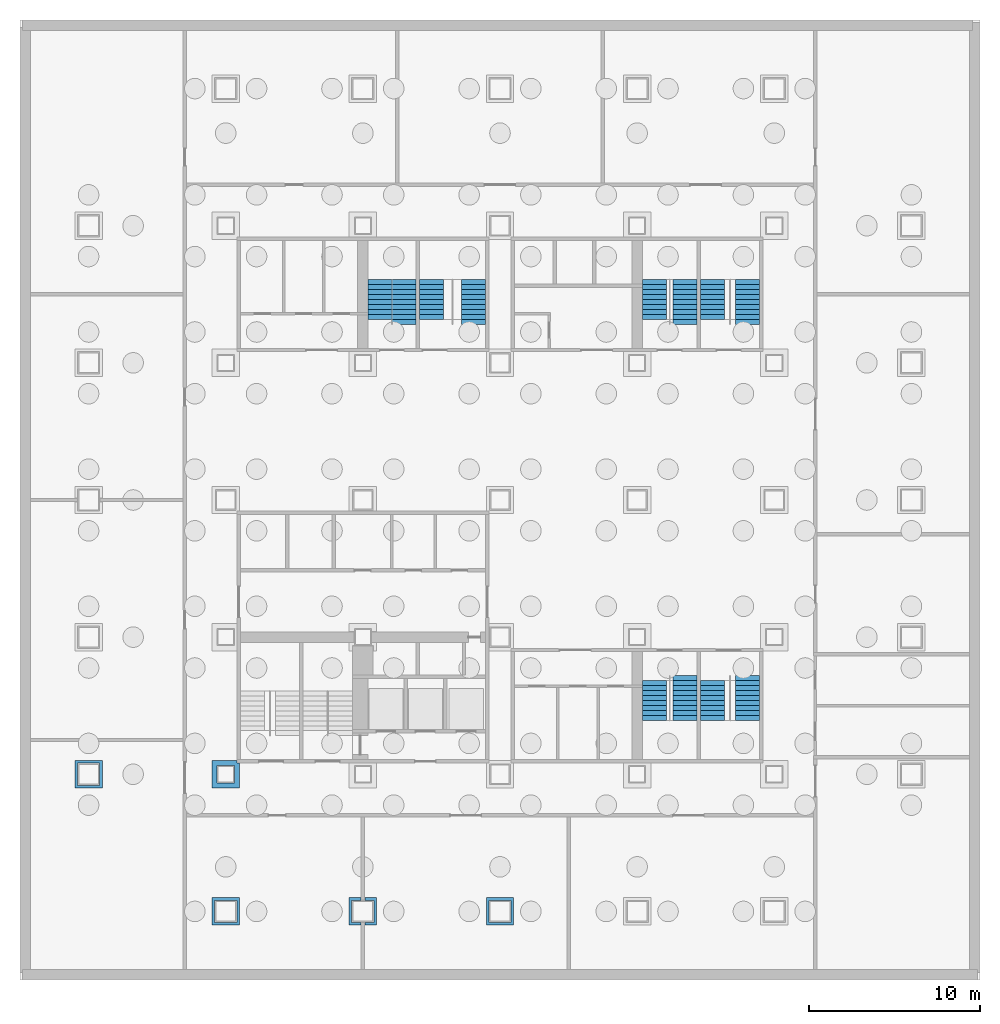
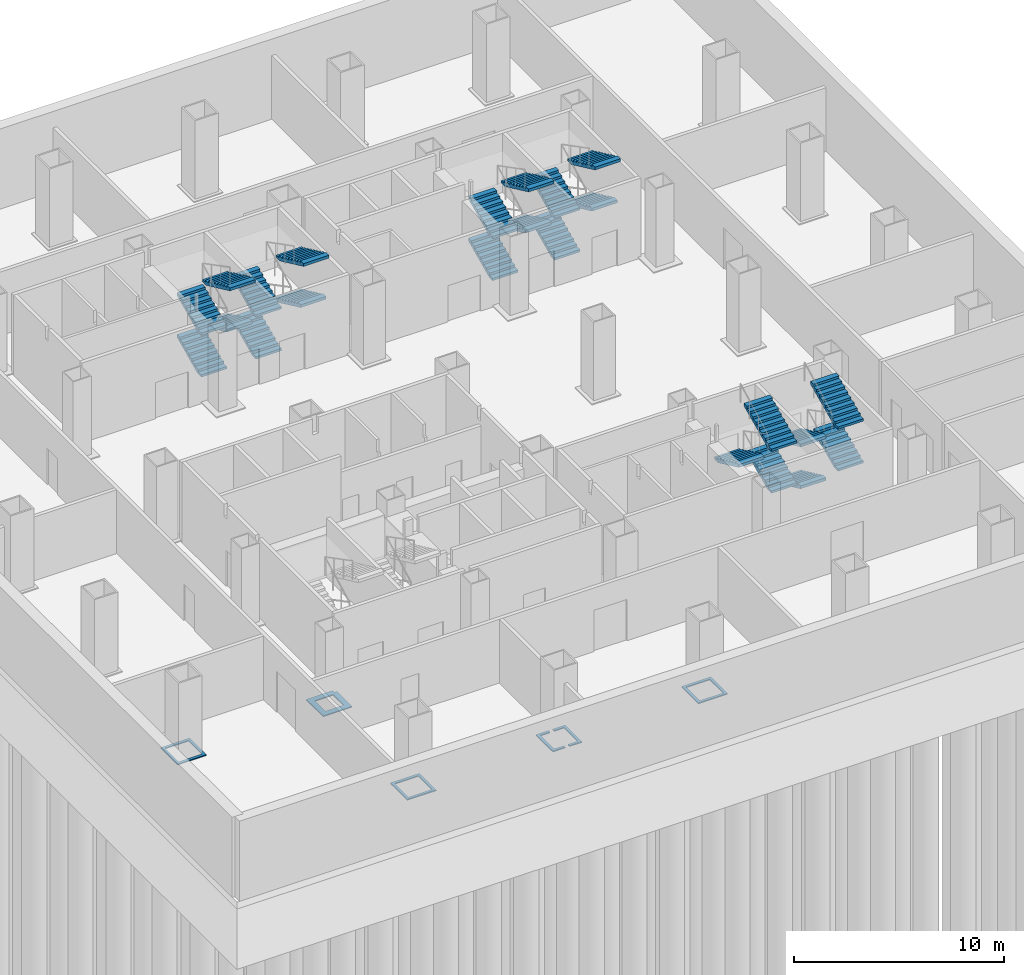
# One storey, part 6 of 9: 23 stair flights, 6 discrete accessories, 6 elements without a shape of their own.
"""IFC4 building model written with IfcOpenShell, lengths in metres."""

from ifc_helpers import new_model, si_unit, direction, frame, origin, place, context, subcontext, project, spatial, polyline, outline, extrude, material, layer, layer_set, type_object, element, aggregate, save


model = new_model("IFC4")

# Units and contexts
model_context = context("Model", 3, precision=1e-05, world=origin(), true_north=direction((0.0, 1.0)))
body_context = subcontext(model_context, "Body", "Model", "MODEL_VIEW")
ifc_project = project(units=[si_unit("LENGTHUNIT", "METRE"), si_unit("AREAUNIT", "SQUARE_METRE"), si_unit("VOLUMEUNIT", "CUBIC_METRE"), si_unit("PLANEANGLEUNIT", "RADIAN"), si_unit("MASSUNIT", "GRAM", prefix="KILO")], contexts=[model_context])

# Site, building, storey
site_placement = place(None, origin())
site = spatial("IfcSite", under=ifc_project, at=site_placement, CompositionType="ELEMENT")
building_placement = place(site_placement, origin())
building = spatial("IfcBuilding", under=site, at=building_placement, Name="Immortelle Media Tower", CompositionType="ELEMENT")
storey_placement = place(building_placement, frame((0.0, 0.0, -5.0)))
storey = spatial("IfcBuildingStorey", under=building, at=storey_placement, Name="B1", CompositionType="ELEMENT", Elevation=-5.0)

# Stair, stair flights
ifc_material_1 = material(Name="Steel ASTM A992 Gr 50", Category="steel")
stair_type = type_object("IfcStairType", Name="Stair with flights", PredefinedType="DOUBLE_RETURN_STAIR", material=ifc_material_1)
stair_1_placement = place(storey_placement, origin())
stair_1 = element("IfcStair", 1, at=stair_1_placement, inside=storey, type_object=stair_type, Name="Exit stair SE1", PredefinedType="DOUBLE_RETURN_STAIR")
stair_flight_type = type_object("IfcStairFlightType", Name="Stair flight 1400", PredefinedType="STRAIGHT", material=ifc_material_1)
stair_flight_1_placement = place(storey_placement, frame((34.800048828125, 11.139892578125, 1.21630859375), z_axis=(0.0, 0.0, 1.0), x_axis=(0.0, 1.0, 0.0)))
stair_flight_1 = element("IfcStairFlight", 2, at=stair_flight_1_placement, type_object=stair_flight_type, Name="ST SE1 flight 2", NumberOfRisers=9, NumberOfTreads=8, PredefinedType="STRAIGHT", RiserHeight=0.135135135, TreadLength=0.29, context=body_context, shape_type="SweptSolid", body=[
    extrude(outline(polyline([(0.0, 0.0), (0.0, 0.13525390625), (0.2900390625, 0.13525390625), (0.2900390625, 0.270263671875), (0.580078125, 0.270263671875), (0.580078125, 0.405517578125), (0.8701171875, 0.405517578125), (0.8701171875, 0.54052734375), (1.159912109375, 0.54052734375), (1.159912109375, 0.67578125), (1.449951171875, 0.67578125), (1.449951171875, 0.810791015625), (1.739990234375, 0.810791015625), (1.739990234375, 0.946044921875), (2.030029296875, 0.946044921875), (2.030029296875, 1.0810546875), (2.320068359375, 1.0810546875), (2.320068359375, 1.21630859375), (2.320068359375, 0.915771484375), (0.35498046875, 0.0), (0.0, 0.0)])), frame((0.0, 0.699951171875, 0.0), z_axis=(0.0, -1.0, 0.0), x_axis=(1.0, 0.0, 0.0)), (0.0, 0.0, 1.0), 1.39990234375),
])
stair_flight_2_placement = place(storey_placement, frame((33.0, 13.4599609375, 2.432373046875), z_axis=(0.0, 0.0, 1.0), x_axis=(0.0, -1.0, 0.0)))
stair_flight_2 = element("IfcStairFlight", 3, at=stair_flight_2_placement, type_object=stair_flight_type, Name="ST SE1 flight 3", NumberOfRisers=9, NumberOfTreads=8, PredefinedType="STRAIGHT", RiserHeight=0.135135135, TreadLength=0.29, context=body_context, shape_type="SweptSolid", body=[
    extrude(outline(polyline([(0.0, 0.0), (0.0, 0.13525390625), (0.2900390625, 0.13525390625), (0.2900390625, 0.270263671875), (0.580078125, 0.270263671875), (0.580078125, 0.405517578125), (0.8701171875, 0.405517578125), (0.8701171875, 0.54052734375), (1.159912109375, 0.54052734375), (1.159912109375, 0.67578125), (1.449951171875, 0.67578125), (1.449951171875, 0.810791015625), (1.739990234375, 0.810791015625), (1.739990234375, 0.946044921875), (2.030029296875, 0.946044921875), (2.030029296875, 1.0810546875), (2.320068359375, 1.0810546875), (2.320068359375, 1.21630859375), (2.320068359375, 0.915771484375), (0.35498046875, 0.0), (0.0, 0.0)])), frame((0.0, 0.699951171875, 0.0), z_axis=(0.0, -1.0, 0.0), x_axis=(1.0, 0.0, 0.0)), (0.0, 0.0, 1.0), 1.39990234375),
])
stair_flight_3_placement = place(storey_placement, frame((34.800048828125, 11.139892578125, 3.648681640625), z_axis=(0.0, 0.0, 1.0), x_axis=(0.0, 1.0, 0.0)))
stair_flight_3 = element("IfcStairFlight", 4, at=stair_flight_3_placement, type_object=stair_flight_type, Name="ST SE1 flight 4", NumberOfRisers=10, NumberOfTreads=9, PredefinedType="STRAIGHT", RiserHeight=0.135135135, TreadLength=0.29, context=body_context, shape_type="SweptSolid", body=[
    extrude(outline(polyline([(0.0, 0.0), (0.0, 0.13525390625), (0.2900390625, 0.13525390625), (0.2900390625, 0.270263671875), (0.580078125, 0.270263671875), (0.580078125, 0.405517578125), (0.8701171875, 0.405517578125), (0.8701171875, 0.54052734375), (1.159912109375, 0.54052734375), (1.159912109375, 0.67578125), (1.449951171875, 0.67578125), (1.449951171875, 0.810791015625), (1.739990234375, 0.810791015625), (1.739990234375, 0.946044921875), (2.030029296875, 0.946044921875), (2.030029296875, 1.0810546875), (2.320068359375, 1.0810546875), (2.320068359375, 1.21630859375), (2.610107421875, 1.21630859375), (2.610107421875, 1.351318359375), (2.610107421875, 1.05078125), (0.35498046875, 0.0), (0.0, 0.0)])), frame((0.0, 0.699951171875, 0.0), z_axis=(0.0, -1.0, 0.0), x_axis=(1.0, 0.0, 0.0)), (0.0, 0.0, 1.0), 1.39990234375),
])
aggregate(stair_1, [stair_flight_1, stair_flight_2, stair_flight_3])

stair_2_placement = place(storey_placement, origin())
stair_2 = element("IfcStair", 5, at=stair_2_placement, inside=storey, type_object=stair_type, Name="Exit stair SE2", PredefinedType="DOUBLE_RETURN_STAIR")
stair_flight_4_placement = place(storey_placement, frame((36.39990234375, 13.4599609375, 0.0), z_axis=(0.0, 0.0, 1.0), x_axis=(0.0, -1.0, 0.0)))
stair_flight_4 = element("IfcStairFlight", 6, at=stair_flight_4_placement, type_object=stair_flight_type, Name="ST SE2 flight 1", NumberOfRisers=9, NumberOfTreads=8, PredefinedType="STRAIGHT", RiserHeight=0.135135135, TreadLength=0.29, context=body_context, shape_type="SweptSolid", body=[
    extrude(outline(polyline([(0.0, 0.0), (0.0, 0.13525390625), (0.2900390625, 0.13525390625), (0.2900390625, 0.270263671875), (0.580078125, 0.270263671875), (0.580078125, 0.405517578125), (0.8701171875, 0.405517578125), (0.8701171875, 0.54052734375), (1.159912109375, 0.54052734375), (1.159912109375, 0.67578125), (1.449951171875, 0.67578125), (1.449951171875, 0.810791015625), (1.739990234375, 0.810791015625), (1.739990234375, 0.946044921875), (2.030029296875, 0.946044921875), (2.030029296875, 1.0810546875), (2.320068359375, 1.0810546875), (2.320068359375, 1.21630859375), (2.320068359375, 0.915771484375), (0.35498046875, 0.0), (0.0, 0.0)])), frame((0.0, 0.699951171875, 0.0), z_axis=(0.0, -1.0, 0.0), x_axis=(1.0, 0.0, 0.0)), (0.0, 0.0, 1.0), 1.39990234375),
])
stair_flight_5_placement = place(storey_placement, frame((38.449951171875, 11.139892578125, 1.21630859375), z_axis=(0.0, 0.0, 1.0), x_axis=(0.0, 1.0, 0.0)))
stair_flight_5 = element("IfcStairFlight", 7, at=stair_flight_5_placement, type_object=stair_flight_type, Name="ST SE2 flight 2", NumberOfRisers=9, NumberOfTreads=8, PredefinedType="STRAIGHT", RiserHeight=0.135135135, TreadLength=0.29, context=body_context, shape_type="SweptSolid", body=[
    extrude(outline(polyline([(0.0, 0.0), (0.0, 0.13525390625), (0.2900390625, 0.13525390625), (0.2900390625, 0.270263671875), (0.580078125, 0.270263671875), (0.580078125, 0.405517578125), (0.8701171875, 0.405517578125), (0.8701171875, 0.54052734375), (1.159912109375, 0.54052734375), (1.159912109375, 0.67578125), (1.449951171875, 0.67578125), (1.449951171875, 0.810791015625), (1.739990234375, 0.810791015625), (1.739990234375, 0.946044921875), (2.030029296875, 0.946044921875), (2.030029296875, 1.0810546875), (2.320068359375, 1.0810546875), (2.320068359375, 1.21630859375), (2.320068359375, 0.915771484375), (0.35498046875, 0.0), (0.0, 0.0)])), frame((0.0, 0.699951171875, 0.0), z_axis=(0.0, -1.0, 0.0), x_axis=(1.0, 0.0, 0.0)), (0.0, 0.0, 1.0), 1.39990234375),
])
stair_flight_6_placement = place(storey_placement, frame((36.39990234375, 13.4599609375, 2.432373046875), z_axis=(0.0, 0.0, 1.0), x_axis=(0.0, -1.0, 0.0)))
stair_flight_6 = element("IfcStairFlight", 8, at=stair_flight_6_placement, type_object=stair_flight_type, Name="ST SE2 flight 3", NumberOfRisers=9, NumberOfTreads=8, PredefinedType="STRAIGHT", RiserHeight=0.135135135, TreadLength=0.29, context=body_context, shape_type="SweptSolid", body=[
    extrude(outline(polyline([(0.0, 0.0), (0.0, 0.13525390625), (0.2900390625, 0.13525390625), (0.2900390625, 0.270263671875), (0.580078125, 0.270263671875), (0.580078125, 0.405517578125), (0.8701171875, 0.405517578125), (0.8701171875, 0.54052734375), (1.159912109375, 0.54052734375), (1.159912109375, 0.67578125), (1.449951171875, 0.67578125), (1.449951171875, 0.810791015625), (1.739990234375, 0.810791015625), (1.739990234375, 0.946044921875), (2.030029296875, 0.946044921875), (2.030029296875, 1.0810546875), (2.320068359375, 1.0810546875), (2.320068359375, 1.21630859375), (2.320068359375, 0.915771484375), (0.35498046875, 0.0), (0.0, 0.0)])), frame((0.0, 0.699951171875, 0.0), z_axis=(0.0, -1.0, 0.0), x_axis=(1.0, 0.0, 0.0)), (0.0, 0.0, 1.0), 1.39990234375),
])
stair_flight_7_placement = place(storey_placement, frame((38.449951171875, 11.139892578125, 3.648681640625), z_axis=(0.0, 0.0, 1.0), x_axis=(0.0, 1.0, 0.0)))
stair_flight_7 = element("IfcStairFlight", 9, at=stair_flight_7_placement, type_object=stair_flight_type, Name="ST SE2 flight 4", NumberOfRisers=10, NumberOfTreads=9, PredefinedType="STRAIGHT", RiserHeight=0.135135135, TreadLength=0.29, context=body_context, shape_type="SweptSolid", body=[
    extrude(outline(polyline([(0.0, 0.0), (0.0, 0.13525390625), (0.2900390625, 0.13525390625), (0.2900390625, 0.270263671875), (0.580078125, 0.270263671875), (0.580078125, 0.405517578125), (0.8701171875, 0.405517578125), (0.8701171875, 0.54052734375), (1.159912109375, 0.54052734375), (1.159912109375, 0.67578125), (1.449951171875, 0.67578125), (1.449951171875, 0.810791015625), (1.739990234375, 0.810791015625), (1.739990234375, 0.946044921875), (2.030029296875, 0.946044921875), (2.030029296875, 1.0810546875), (2.320068359375, 1.0810546875), (2.320068359375, 1.21630859375), (2.610107421875, 1.21630859375), (2.610107421875, 1.351318359375), (2.610107421875, 1.05078125), (0.35498046875, 0.0), (0.0, 0.0)])), frame((0.0, 0.699951171875, 0.0), z_axis=(0.0, -1.0, 0.0), x_axis=(1.0, 0.0, 0.0)), (0.0, 0.0, 1.0), 1.39990234375),
])
aggregate(stair_2, [stair_flight_4, stair_flight_5, stair_flight_6, stair_flight_7])

stair_3_placement = place(storey_placement, origin())
stair_3 = element("IfcStair", 10, at=stair_3_placement, inside=storey, type_object=stair_type, Name="Exit stair NW1", PredefinedType="DOUBLE_RETURN_STAIR")
stair_flight_8_placement = place(storey_placement, frame((17.0, 34.5400390625, 0.0), z_axis=(0.0, 0.0, 1.0), x_axis=(0.0, 1.0, 0.0)))
stair_flight_8 = element("IfcStairFlight", 11, at=stair_flight_8_placement, type_object=stair_flight_type, Name="ST NW1 flight 1", NumberOfRisers=9, NumberOfTreads=8, PredefinedType="STRAIGHT", RiserHeight=0.135135135, TreadLength=0.29, context=body_context, shape_type="SweptSolid", body=[
    extrude(outline(polyline([(0.0, 0.0), (0.0, 0.13525390625), (0.2900390625, 0.13525390625), (0.2900390625, 0.270263671875), (0.580078125, 0.270263671875), (0.580078125, 0.405517578125), (0.8701171875, 0.405517578125), (0.8701171875, 0.54052734375), (1.159912109375, 0.54052734375), (1.159912109375, 0.67578125), (1.449951171875, 0.67578125), (1.449951171875, 0.810791015625), (1.739990234375, 0.810791015625), (1.739990234375, 0.946044921875), (2.030029296875, 0.946044921875), (2.030029296875, 1.0810546875), (2.320068359375, 1.0810546875), (2.320068359375, 1.21630859375), (2.320068359375, 0.915771484375), (0.35498046875, 0.0), (0.0, 0.0)])), frame((0.0, 0.699951171875, 0.0), z_axis=(0.0, -1.0, 0.0), x_axis=(1.0, 0.0, 0.0)), (0.0, 0.0, 1.0), 1.39990234375),
])
stair_flight_9_placement = place(storey_placement, frame((18.39990234375, 36.860107421875, 1.21630859375), z_axis=(0.0, 0.0, 1.0), x_axis=(0.0, -1.0, 0.0)))
stair_flight_9 = element("IfcStairFlight", 12, at=stair_flight_9_placement, type_object=stair_flight_type, Name="ST NW1 flight 2", NumberOfRisers=9, NumberOfTreads=8, PredefinedType="STRAIGHT", RiserHeight=0.135135135, TreadLength=0.29, context=body_context, shape_type="SweptSolid", body=[
    extrude(outline(polyline([(0.0, 0.0), (0.0, 0.13525390625), (0.2900390625, 0.13525390625), (0.2900390625, 0.270263671875), (0.580078125, 0.270263671875), (0.580078125, 0.405517578125), (0.8701171875, 0.405517578125), (0.8701171875, 0.54052734375), (1.159912109375, 0.54052734375), (1.159912109375, 0.67578125), (1.449951171875, 0.67578125), (1.449951171875, 0.810791015625), (1.739990234375, 0.810791015625), (1.739990234375, 0.946044921875), (2.030029296875, 0.946044921875), (2.030029296875, 1.0810546875), (2.320068359375, 1.0810546875), (2.320068359375, 1.21630859375), (2.320068359375, 0.915771484375), (0.35498046875, 0.0), (0.0, 0.0)])), frame((0.0, 0.699951171875, 0.0), z_axis=(0.0, -1.0, 0.0), x_axis=(1.0, 0.0, 0.0)), (0.0, 0.0, 1.0), 1.39990234375),
])
stair_flight_10_placement = place(storey_placement, frame((17.0, 34.5400390625, 2.432373046875), z_axis=(0.0, 0.0, 1.0), x_axis=(0.0, 1.0, 0.0)))
stair_flight_10 = element("IfcStairFlight", 13, at=stair_flight_10_placement, type_object=stair_flight_type, Name="ST NW1 flight 3", NumberOfRisers=9, NumberOfTreads=8, PredefinedType="STRAIGHT", RiserHeight=0.135135135, TreadLength=0.29, context=body_context, shape_type="SweptSolid", body=[
    extrude(outline(polyline([(0.0, 0.0), (0.0, 0.13525390625), (0.2900390625, 0.13525390625), (0.2900390625, 0.270263671875), (0.580078125, 0.270263671875), (0.580078125, 0.405517578125), (0.8701171875, 0.405517578125), (0.8701171875, 0.54052734375), (1.159912109375, 0.54052734375), (1.159912109375, 0.67578125), (1.449951171875, 0.67578125), (1.449951171875, 0.810791015625), (1.739990234375, 0.810791015625), (1.739990234375, 0.946044921875), (2.030029296875, 0.946044921875), (2.030029296875, 1.0810546875), (2.320068359375, 1.0810546875), (2.320068359375, 1.21630859375), (2.320068359375, 0.915771484375), (0.35498046875, 0.0), (0.0, 0.0)])), frame((0.0, 0.699951171875, 0.0), z_axis=(0.0, -1.0, 0.0), x_axis=(1.0, 0.0, 0.0)), (0.0, 0.0, 1.0), 1.39990234375),
])
stair_flight_11_placement = place(storey_placement, frame((18.39990234375, 36.860107421875, 3.648681640625), z_axis=(0.0, 0.0, 1.0), x_axis=(0.0, -1.0, 0.0)))
stair_flight_11 = element("IfcStairFlight", 14, at=stair_flight_11_placement, type_object=stair_flight_type, Name="ST NW1 flight 4", NumberOfRisers=10, NumberOfTreads=9, PredefinedType="STRAIGHT", RiserHeight=0.135135135, TreadLength=0.29, context=body_context, shape_type="SweptSolid", body=[
    extrude(outline(polyline([(0.0, 0.0), (0.0, 0.13525390625), (0.2900390625, 0.13525390625), (0.2900390625, 0.270263671875), (0.580078125, 0.270263671875), (0.580078125, 0.405517578125), (0.8701171875, 0.405517578125), (0.8701171875, 0.54052734375), (1.159912109375, 0.54052734375), (1.159912109375, 0.67578125), (1.449951171875, 0.67578125), (1.449951171875, 0.810791015625), (1.739990234375, 0.810791015625), (1.739990234375, 0.946044921875), (2.030029296875, 0.946044921875), (2.030029296875, 1.0810546875), (2.320068359375, 1.0810546875), (2.320068359375, 1.21630859375), (2.610107421875, 1.21630859375), (2.610107421875, 1.351318359375), (2.610107421875, 1.05078125), (0.35498046875, 0.0), (0.0, 0.0)])), frame((0.0, 0.699951171875, 0.0), z_axis=(0.0, -1.0, 0.0), x_axis=(1.0, 0.0, 0.0)), (0.0, 0.0, 1.0), 1.39990234375),
])
aggregate(stair_3, [stair_flight_8, stair_flight_9, stair_flight_10, stair_flight_11])

stair_4_placement = place(storey_placement, origin())
stair_4 = element("IfcStair", 15, at=stair_4_placement, inside=storey, type_object=stair_type, Name="Exit stair NW2", PredefinedType="DOUBLE_RETURN_STAIR")
stair_flight_12_placement = place(storey_placement, frame((20.0, 34.5400390625, 0.0), z_axis=(0.0, 0.0, 1.0), x_axis=(0.0, 1.0, 0.0)))
stair_flight_12 = element("IfcStairFlight", 16, at=stair_flight_12_placement, type_object=stair_flight_type, Name="ST NW2 flight 1", NumberOfRisers=9, NumberOfTreads=8, PredefinedType="STRAIGHT", RiserHeight=0.135135135, TreadLength=0.29, context=body_context, shape_type="SweptSolid", body=[
    extrude(outline(polyline([(0.0, 0.0), (0.0, 0.13525390625), (0.2900390625, 0.13525390625), (0.2900390625, 0.270263671875), (0.580078125, 0.270263671875), (0.580078125, 0.405517578125), (0.8701171875, 0.405517578125), (0.8701171875, 0.54052734375), (1.159912109375, 0.54052734375), (1.159912109375, 0.67578125), (1.449951171875, 0.67578125), (1.449951171875, 0.810791015625), (1.739990234375, 0.810791015625), (1.739990234375, 0.946044921875), (2.030029296875, 0.946044921875), (2.030029296875, 1.0810546875), (2.320068359375, 1.0810546875), (2.320068359375, 1.21630859375), (2.320068359375, 0.915771484375), (0.35498046875, 0.0), (0.0, 0.0)])), frame((0.0, 0.699951171875, 0.0), z_axis=(0.0, -1.0, 0.0), x_axis=(1.0, 0.0, 0.0)), (0.0, 0.0, 1.0), 1.39990234375),
])
stair_flight_13_placement = place(storey_placement, frame((22.449951171875, 36.860107421875, 1.21630859375), z_axis=(0.0, 0.0, 1.0), x_axis=(0.0, -1.0, 0.0)))
stair_flight_13 = element("IfcStairFlight", 17, at=stair_flight_13_placement, type_object=stair_flight_type, Name="ST NW2 flight 2", NumberOfRisers=9, NumberOfTreads=8, PredefinedType="STRAIGHT", RiserHeight=0.135135135, TreadLength=0.29, context=body_context, shape_type="SweptSolid", body=[
    extrude(outline(polyline([(0.0, 0.0), (0.0, 0.13525390625), (0.2900390625, 0.13525390625), (0.2900390625, 0.270263671875), (0.580078125, 0.270263671875), (0.580078125, 0.405517578125), (0.8701171875, 0.405517578125), (0.8701171875, 0.54052734375), (1.159912109375, 0.54052734375), (1.159912109375, 0.67578125), (1.449951171875, 0.67578125), (1.449951171875, 0.810791015625), (1.739990234375, 0.810791015625), (1.739990234375, 0.946044921875), (2.030029296875, 0.946044921875), (2.030029296875, 1.0810546875), (2.320068359375, 1.0810546875), (2.320068359375, 1.21630859375), (2.320068359375, 0.915771484375), (0.35498046875, 0.0), (0.0, 0.0)])), frame((0.0, 0.699951171875, 0.0), z_axis=(0.0, -1.0, 0.0), x_axis=(1.0, 0.0, 0.0)), (0.0, 0.0, 1.0), 1.39990234375),
])
stair_flight_14_placement = place(storey_placement, frame((20.0, 34.5400390625, 2.432373046875), z_axis=(0.0, 0.0, 1.0), x_axis=(0.0, 1.0, 0.0)))
stair_flight_14 = element("IfcStairFlight", 18, at=stair_flight_14_placement, type_object=stair_flight_type, Name="ST NW2 flight 3", NumberOfRisers=9, NumberOfTreads=8, PredefinedType="STRAIGHT", RiserHeight=0.135135135, TreadLength=0.29, context=body_context, shape_type="SweptSolid", body=[
    extrude(outline(polyline([(0.0, 0.0), (0.0, 0.13525390625), (0.2900390625, 0.13525390625), (0.2900390625, 0.270263671875), (0.580078125, 0.270263671875), (0.580078125, 0.405517578125), (0.8701171875, 0.405517578125), (0.8701171875, 0.54052734375), (1.159912109375, 0.54052734375), (1.159912109375, 0.67578125), (1.449951171875, 0.67578125), (1.449951171875, 0.810791015625), (1.739990234375, 0.810791015625), (1.739990234375, 0.946044921875), (2.030029296875, 0.946044921875), (2.030029296875, 1.0810546875), (2.320068359375, 1.0810546875), (2.320068359375, 1.21630859375), (2.320068359375, 0.915771484375), (0.35498046875, 0.0), (0.0, 0.0)])), frame((0.0, 0.699951171875, 0.0), z_axis=(0.0, -1.0, 0.0), x_axis=(1.0, 0.0, 0.0)), (0.0, 0.0, 1.0), 1.39990234375),
])
stair_flight_15_placement = place(storey_placement, frame((22.449951171875, 36.860107421875, 3.648681640625), z_axis=(0.0, 0.0, 1.0), x_axis=(0.0, -1.0, 0.0)))
stair_flight_15 = element("IfcStairFlight", 19, at=stair_flight_15_placement, type_object=stair_flight_type, Name="ST NW2 flight 4", NumberOfRisers=10, NumberOfTreads=9, PredefinedType="STRAIGHT", RiserHeight=0.135135135, TreadLength=0.29, context=body_context, shape_type="SweptSolid", body=[
    extrude(outline(polyline([(0.0, 0.0), (0.0, 0.13525390625), (0.2900390625, 0.13525390625), (0.2900390625, 0.270263671875), (0.580078125, 0.270263671875), (0.580078125, 0.405517578125), (0.8701171875, 0.405517578125), (0.8701171875, 0.54052734375), (1.159912109375, 0.54052734375), (1.159912109375, 0.67578125), (1.449951171875, 0.67578125), (1.449951171875, 0.810791015625), (1.739990234375, 0.810791015625), (1.739990234375, 0.946044921875), (2.030029296875, 0.946044921875), (2.030029296875, 1.0810546875), (2.320068359375, 1.0810546875), (2.320068359375, 1.21630859375), (2.610107421875, 1.21630859375), (2.610107421875, 1.351318359375), (2.610107421875, 1.05078125), (0.35498046875, 0.0), (0.0, 0.0)])), frame((0.0, 0.699951171875, 0.0), z_axis=(0.0, -1.0, 0.0), x_axis=(1.0, 0.0, 0.0)), (0.0, 0.0, 1.0), 1.39990234375),
])
aggregate(stair_4, [stair_flight_12, stair_flight_13, stair_flight_14, stair_flight_15])

stair_5_placement = place(storey_placement, origin())
stair_5 = element("IfcStair", 20, at=stair_5_placement, inside=storey, type_object=stair_type, Name="Exit stair NE1", PredefinedType="DOUBLE_RETURN_STAIR")
stair_flight_16_placement = place(storey_placement, frame((33.0, 34.5400390625, 0.0), z_axis=(0.0, 0.0, 1.0), x_axis=(0.0, 1.0, 0.0)))
stair_flight_16 = element("IfcStairFlight", 21, at=stair_flight_16_placement, type_object=stair_flight_type, Name="ST NE1 flight 1", NumberOfRisers=9, NumberOfTreads=8, PredefinedType="STRAIGHT", RiserHeight=0.135135135, TreadLength=0.29, context=body_context, shape_type="SweptSolid", body=[
    extrude(outline(polyline([(0.0, 0.0), (0.0, 0.13525390625), (0.2900390625, 0.13525390625), (0.2900390625, 0.270263671875), (0.580078125, 0.270263671875), (0.580078125, 0.405517578125), (0.8701171875, 0.405517578125), (0.8701171875, 0.54052734375), (1.159912109375, 0.54052734375), (1.159912109375, 0.67578125), (1.449951171875, 0.67578125), (1.449951171875, 0.810791015625), (1.739990234375, 0.810791015625), (1.739990234375, 0.946044921875), (2.030029296875, 0.946044921875), (2.030029296875, 1.0810546875), (2.320068359375, 1.0810546875), (2.320068359375, 1.21630859375), (2.320068359375, 0.915771484375), (0.35498046875, 0.0), (0.0, 0.0)])), frame((0.0, 0.699951171875, 0.0), z_axis=(0.0, -1.0, 0.0), x_axis=(1.0, 0.0, 0.0)), (0.0, 0.0, 1.0), 1.39990234375),
])
stair_flight_17_placement = place(storey_placement, frame((34.800048828125, 36.860107421875, 1.21630859375), z_axis=(0.0, 0.0, 1.0), x_axis=(0.0, -1.0, 0.0)))
stair_flight_17 = element("IfcStairFlight", 22, at=stair_flight_17_placement, type_object=stair_flight_type, Name="ST NE1 flight 2", NumberOfRisers=9, NumberOfTreads=8, PredefinedType="STRAIGHT", RiserHeight=0.135135135, TreadLength=0.29, context=body_context, shape_type="SweptSolid", body=[
    extrude(outline(polyline([(0.0, 0.0), (0.0, 0.13525390625), (0.2900390625, 0.13525390625), (0.2900390625, 0.270263671875), (0.580078125, 0.270263671875), (0.580078125, 0.405517578125), (0.8701171875, 0.405517578125), (0.8701171875, 0.54052734375), (1.159912109375, 0.54052734375), (1.159912109375, 0.67578125), (1.449951171875, 0.67578125), (1.449951171875, 0.810791015625), (1.739990234375, 0.810791015625), (1.739990234375, 0.946044921875), (2.030029296875, 0.946044921875), (2.030029296875, 1.0810546875), (2.320068359375, 1.0810546875), (2.320068359375, 1.21630859375), (2.320068359375, 0.915771484375), (0.35498046875, 0.0), (0.0, 0.0)])), frame((0.0, 0.699951171875, 0.0), z_axis=(0.0, -1.0, 0.0), x_axis=(1.0, 0.0, 0.0)), (0.0, 0.0, 1.0), 1.39990234375),
])
stair_flight_18_placement = place(storey_placement, frame((33.0, 34.5400390625, 2.432373046875), z_axis=(0.0, 0.0, 1.0), x_axis=(0.0, 1.0, 0.0)))
stair_flight_18 = element("IfcStairFlight", 23, at=stair_flight_18_placement, type_object=stair_flight_type, Name="ST NE1 flight 3", NumberOfRisers=9, NumberOfTreads=8, PredefinedType="STRAIGHT", RiserHeight=0.135135135, TreadLength=0.29, context=body_context, shape_type="SweptSolid", body=[
    extrude(outline(polyline([(0.0, 0.0), (0.0, 0.13525390625), (0.2900390625, 0.13525390625), (0.2900390625, 0.270263671875), (0.580078125, 0.270263671875), (0.580078125, 0.405517578125), (0.8701171875, 0.405517578125), (0.8701171875, 0.54052734375), (1.159912109375, 0.54052734375), (1.159912109375, 0.67578125), (1.449951171875, 0.67578125), (1.449951171875, 0.810791015625), (1.739990234375, 0.810791015625), (1.739990234375, 0.946044921875), (2.030029296875, 0.946044921875), (2.030029296875, 1.0810546875), (2.320068359375, 1.0810546875), (2.320068359375, 1.21630859375), (2.320068359375, 0.915771484375), (0.35498046875, 0.0), (0.0, 0.0)])), frame((0.0, 0.699951171875, 0.0), z_axis=(0.0, -1.0, 0.0), x_axis=(1.0, 0.0, 0.0)), (0.0, 0.0, 1.0), 1.39990234375),
])
stair_flight_19_placement = place(storey_placement, frame((34.800048828125, 36.860107421875, 3.648681640625), z_axis=(0.0, 0.0, 1.0), x_axis=(0.0, -1.0, 0.0)))
stair_flight_19 = element("IfcStairFlight", 24, at=stair_flight_19_placement, type_object=stair_flight_type, Name="ST NE1 flight 4", NumberOfRisers=10, NumberOfTreads=9, PredefinedType="STRAIGHT", RiserHeight=0.135135135, TreadLength=0.29, context=body_context, shape_type="SweptSolid", body=[
    extrude(outline(polyline([(0.0, 0.0), (0.0, 0.13525390625), (0.2900390625, 0.13525390625), (0.2900390625, 0.270263671875), (0.580078125, 0.270263671875), (0.580078125, 0.405517578125), (0.8701171875, 0.405517578125), (0.8701171875, 0.54052734375), (1.159912109375, 0.54052734375), (1.159912109375, 0.67578125), (1.449951171875, 0.67578125), (1.449951171875, 0.810791015625), (1.739990234375, 0.810791015625), (1.739990234375, 0.946044921875), (2.030029296875, 0.946044921875), (2.030029296875, 1.0810546875), (2.320068359375, 1.0810546875), (2.320068359375, 1.21630859375), (2.610107421875, 1.21630859375), (2.610107421875, 1.351318359375), (2.610107421875, 1.05078125), (0.35498046875, 0.0), (0.0, 0.0)])), frame((0.0, 0.699951171875, 0.0), z_axis=(0.0, -1.0, 0.0), x_axis=(1.0, 0.0, 0.0)), (0.0, 0.0, 1.0), 1.39990234375),
])
aggregate(stair_5, [stair_flight_16, stair_flight_17, stair_flight_18, stair_flight_19])

stair_6_placement = place(storey_placement, origin())
stair_6 = element("IfcStair", 25, at=stair_6_placement, inside=storey, type_object=stair_type, Name="Exit stair NE2", PredefinedType="DOUBLE_RETURN_STAIR")
stair_flight_20_placement = place(storey_placement, frame((36.39990234375, 34.5400390625, 0.0), z_axis=(0.0, 0.0, 1.0), x_axis=(0.0, 1.0, 0.0)))
stair_flight_20 = element("IfcStairFlight", 26, at=stair_flight_20_placement, type_object=stair_flight_type, Name="ST NE2 flight 1", NumberOfRisers=9, NumberOfTreads=8, PredefinedType="STRAIGHT", RiserHeight=0.135135135, TreadLength=0.29, context=body_context, shape_type="SweptSolid", body=[
    extrude(outline(polyline([(0.0, 0.0), (0.0, 0.13525390625), (0.2900390625, 0.13525390625), (0.2900390625, 0.270263671875), (0.580078125, 0.270263671875), (0.580078125, 0.405517578125), (0.8701171875, 0.405517578125), (0.8701171875, 0.54052734375), (1.159912109375, 0.54052734375), (1.159912109375, 0.67578125), (1.449951171875, 0.67578125), (1.449951171875, 0.810791015625), (1.739990234375, 0.810791015625), (1.739990234375, 0.946044921875), (2.030029296875, 0.946044921875), (2.030029296875, 1.0810546875), (2.320068359375, 1.0810546875), (2.320068359375, 1.21630859375), (2.320068359375, 0.915771484375), (0.35498046875, 0.0), (0.0, 0.0)])), frame((0.0, 0.699951171875, 0.0), z_axis=(0.0, -1.0, 0.0), x_axis=(1.0, 0.0, 0.0)), (0.0, 0.0, 1.0), 1.39990234375),
])
stair_flight_21_placement = place(storey_placement, frame((38.449951171875, 36.860107421875, 1.21630859375), z_axis=(0.0, 0.0, 1.0), x_axis=(0.0, -1.0, 0.0)))
stair_flight_21 = element("IfcStairFlight", 27, at=stair_flight_21_placement, type_object=stair_flight_type, Name="ST NE2 flight 2", NumberOfRisers=9, NumberOfTreads=8, PredefinedType="STRAIGHT", RiserHeight=0.135135135, TreadLength=0.29, context=body_context, shape_type="SweptSolid", body=[
    extrude(outline(polyline([(0.0, 0.0), (0.0, 0.13525390625), (0.2900390625, 0.13525390625), (0.2900390625, 0.270263671875), (0.580078125, 0.270263671875), (0.580078125, 0.405517578125), (0.8701171875, 0.405517578125), (0.8701171875, 0.54052734375), (1.159912109375, 0.54052734375), (1.159912109375, 0.67578125), (1.449951171875, 0.67578125), (1.449951171875, 0.810791015625), (1.739990234375, 0.810791015625), (1.739990234375, 0.946044921875), (2.030029296875, 0.946044921875), (2.030029296875, 1.0810546875), (2.320068359375, 1.0810546875), (2.320068359375, 1.21630859375), (2.320068359375, 0.915771484375), (0.35498046875, 0.0), (0.0, 0.0)])), frame((0.0, 0.699951171875, 0.0), z_axis=(0.0, -1.0, 0.0), x_axis=(1.0, 0.0, 0.0)), (0.0, 0.0, 1.0), 1.39990234375),
])
stair_flight_22_placement = place(storey_placement, frame((36.39990234375, 34.5400390625, 2.432373046875), z_axis=(0.0, 0.0, 1.0), x_axis=(0.0, 1.0, 0.0)))
stair_flight_22 = element("IfcStairFlight", 28, at=stair_flight_22_placement, type_object=stair_flight_type, Name="ST NE2 flight 3", NumberOfRisers=9, NumberOfTreads=8, PredefinedType="STRAIGHT", RiserHeight=0.135135135, TreadLength=0.29, context=body_context, shape_type="SweptSolid", body=[
    extrude(outline(polyline([(0.0, 0.0), (0.0, 0.13525390625), (0.2900390625, 0.13525390625), (0.2900390625, 0.270263671875), (0.580078125, 0.270263671875), (0.580078125, 0.405517578125), (0.8701171875, 0.405517578125), (0.8701171875, 0.54052734375), (1.159912109375, 0.54052734375), (1.159912109375, 0.67578125), (1.449951171875, 0.67578125), (1.449951171875, 0.810791015625), (1.739990234375, 0.810791015625), (1.739990234375, 0.946044921875), (2.030029296875, 0.946044921875), (2.030029296875, 1.0810546875), (2.320068359375, 1.0810546875), (2.320068359375, 1.21630859375), (2.320068359375, 0.915771484375), (0.35498046875, 0.0), (0.0, 0.0)])), frame((0.0, 0.699951171875, 0.0), z_axis=(0.0, -1.0, 0.0), x_axis=(1.0, 0.0, 0.0)), (0.0, 0.0, 1.0), 1.39990234375),
])
stair_flight_23_placement = place(storey_placement, frame((38.449951171875, 36.860107421875, 3.648681640625), z_axis=(0.0, 0.0, 1.0), x_axis=(0.0, -1.0, 0.0)))
stair_flight_23 = element("IfcStairFlight", 29, at=stair_flight_23_placement, type_object=stair_flight_type, Name="ST NE2 flight 4", NumberOfRisers=10, NumberOfTreads=9, PredefinedType="STRAIGHT", RiserHeight=0.135135135, TreadLength=0.29, context=body_context, shape_type="SweptSolid", body=[
    extrude(outline(polyline([(0.0, 0.0), (0.0, 0.13525390625), (0.2900390625, 0.13525390625), (0.2900390625, 0.270263671875), (0.580078125, 0.270263671875), (0.580078125, 0.405517578125), (0.8701171875, 0.405517578125), (0.8701171875, 0.54052734375), (1.159912109375, 0.54052734375), (1.159912109375, 0.67578125), (1.449951171875, 0.67578125), (1.449951171875, 0.810791015625), (1.739990234375, 0.810791015625), (1.739990234375, 0.946044921875), (2.030029296875, 0.946044921875), (2.030029296875, 1.0810546875), (2.320068359375, 1.0810546875), (2.320068359375, 1.21630859375), (2.610107421875, 1.21630859375), (2.610107421875, 1.351318359375), (2.610107421875, 1.05078125), (0.35498046875, 0.0), (0.0, 0.0)])), frame((0.0, 0.699951171875, 0.0), z_axis=(0.0, -1.0, 0.0), x_axis=(1.0, 0.0, 0.0)), (0.0, 0.0, 1.0), 1.39990234375),
])
aggregate(stair_6, [stair_flight_20, stair_flight_21, stair_flight_22, stair_flight_23])

# Discrete accessories
ifc_material_2 = material(Name="Steel ASTM A572 Gr 50", Category="steel")
ifc_layer = layer(ifc_material_2, 0.06005859375)
ifc_layer_set = layer_set([ifc_layer], Name="Steel ASTM A572 Gr 50")
discrete_accessory_type = type_object("IfcDiscreteAccessoryType", Name="Column foot plate BP6 1600 x 1600 x 60", PredefinedType="ANCHORPLATE", material=ifc_layer_set)
for number, where, z_axis, x_axis, name in (
    (30, (0.0, 8.0, 0.0400390625), (0.0, 0.0, 1.0), (1.0, 0.0, 0.0), "Foot plate BP6 of Column 1/B"),
    (31, (8.0, 0.0, 0.0400390625), (0.0, 0.0, 1.0), (1.0, 0.0, 0.0), "Foot plate BP6 of Column 2/A"),
):
    element("IfcDiscreteAccessory", number, at=place(storey_placement, frame(where, z_axis=z_axis, x_axis=x_axis)), inside=storey, type_object=discrete_accessory_type, Name=name, PredefinedType="ANCHORPLATE", context=body_context, shape_type="SweptSolid", body=[
        extrude(outline(polyline([(-0.800048828125, -0.800048828125), (0.800048828125, -0.800048828125), (0.800048828125, 0.800048828125), (-0.800048828125, 0.800048828125), (-0.800048828125, -0.800048828125)]), holes=[polyline([(0.64990234375, 0.64990234375), (0.64990234375, -0.64990234375), (-0.64990234375, -0.64990234375), (-0.64990234375, 0.64990234375), (0.64990234375, 0.64990234375)])]), origin(), (0.0, 0.0, 1.0), 0.06005859375),
    ])
discrete_accessory_1_placement = place(storey_placement, frame((8.0, 8.0, 0.0400390625), z_axis=(0.0, 0.0, 1.0), x_axis=(1.0, 0.0, 0.0)))
element("IfcDiscreteAccessory", 32, at=discrete_accessory_1_placement, inside=storey, type_object=discrete_accessory_type, Name="Foot plate BP6 of Column 2/B", PredefinedType="ANCHORPLATE", context=body_context, shape_type="SweptSolid", body=[
    extrude(outline(polyline([(-0.800048828125, -0.800048828125), (0.800048828125, -0.800048828125), (0.800048828125, 0.64990234375), (0.64990234375, 0.64990234375), (0.64990234375, 0.800048828125), (-0.800048828125, 0.800048828125), (-0.800048828125, -0.800048828125)]), holes=[polyline([(0.5, 0.5), (0.5, -0.5), (-0.5, -0.5), (-0.5, 0.5), (0.5, 0.5)])]), origin(), (0.0, 0.0, 1.0), 0.06005859375),
])
discrete_accessory_2_placement = place(storey_placement, frame((16.0, 0.0, 0.0400390625), z_axis=(0.0, 0.0, 1.0), x_axis=(1.0, 0.0, 0.0)))
element("IfcDiscreteAccessory", 33, at=discrete_accessory_2_placement, inside=storey, type_object=discrete_accessory_type, Name="Foot plate BP6 of Column 3/A", PredefinedType="ANCHORPLATE", context=body_context, shape_type="SweptSolid", body=[
    extrude(outline(polyline([(0.800048828125, -0.800048828125), (0.800048828125, 0.800048828125), (0.114990234375, 0.800048828125), (0.114990234375, 0.64990234375), (0.64990234375, 0.64990234375), (0.64990234375, -0.64990234375), (0.114990234375, -0.64990234375), (0.114990234375, -0.800048828125), (0.800048828125, -0.800048828125)])), origin(), (0.0, 0.0, 1.0), 0.06005859375),
])
discrete_accessory_3_placement = place(storey_placement, frame((16.0, 0.0, 0.0400390625), z_axis=(0.0, 0.0, 1.0), x_axis=(1.0, 0.0, 0.0)))
element("IfcDiscreteAccessory", 34, at=discrete_accessory_3_placement, inside=storey, type_object=discrete_accessory_type, Name="Foot plate BP6 of Column 3/A, part 2", PredefinedType="ANCHORPLATE", context=body_context, shape_type="SweptSolid", body=[
    extrude(outline(polyline([(-0.114990234375, -0.800048828125), (-0.114990234375, -0.64990234375), (-0.64990234375, -0.64990234375), (-0.64990234375, 0.64990234375), (-0.114990234375, 0.64990234375), (-0.114990234375, 0.800048828125), (-0.800048828125, 0.800048828125), (-0.800048828125, -0.800048828125), (-0.114990234375, -0.800048828125)])), origin(), (0.0, 0.0, 1.0), 0.06005859375),
])
discrete_accessory_4_placement = place(storey_placement, frame((24.0, 0.0, 0.0400390625), z_axis=(0.0, 0.0, 1.0), x_axis=(1.0, 0.0, 0.0)))
element("IfcDiscreteAccessory", 35, at=discrete_accessory_4_placement, inside=storey, type_object=discrete_accessory_type, Name="Foot plate BP6 of Column 4/A", PredefinedType="ANCHORPLATE", context=body_context, shape_type="SweptSolid", body=[
    extrude(outline(polyline([(-0.800048828125, -0.800048828125), (0.800048828125, -0.800048828125), (0.800048828125, 0.800048828125), (-0.800048828125, 0.800048828125), (-0.800048828125, -0.800048828125)]), holes=[polyline([(0.64990234375, 0.64990234375), (0.64990234375, -0.64990234375), (-0.64990234375, -0.64990234375), (-0.64990234375, 0.64990234375), (0.64990234375, 0.64990234375)])]), origin(), (0.0, 0.0, 1.0), 0.06005859375),
])

save(model, "model.ifc")
